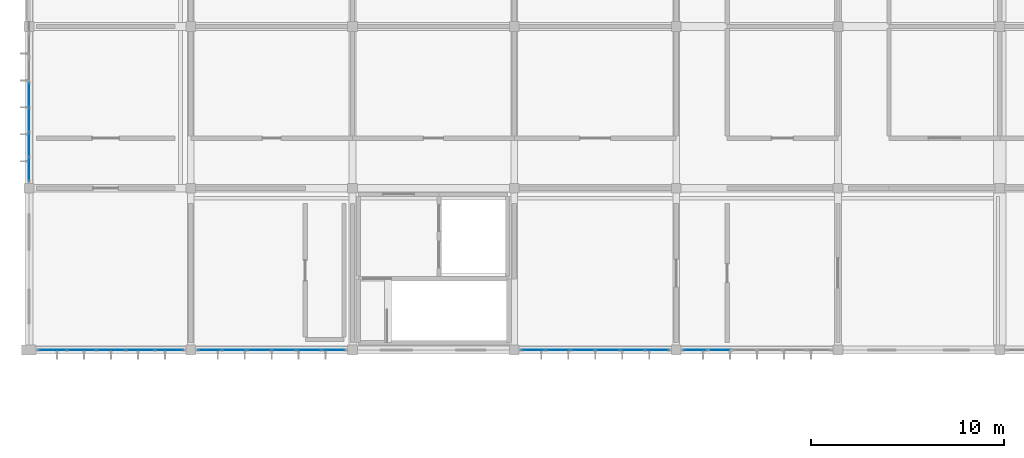
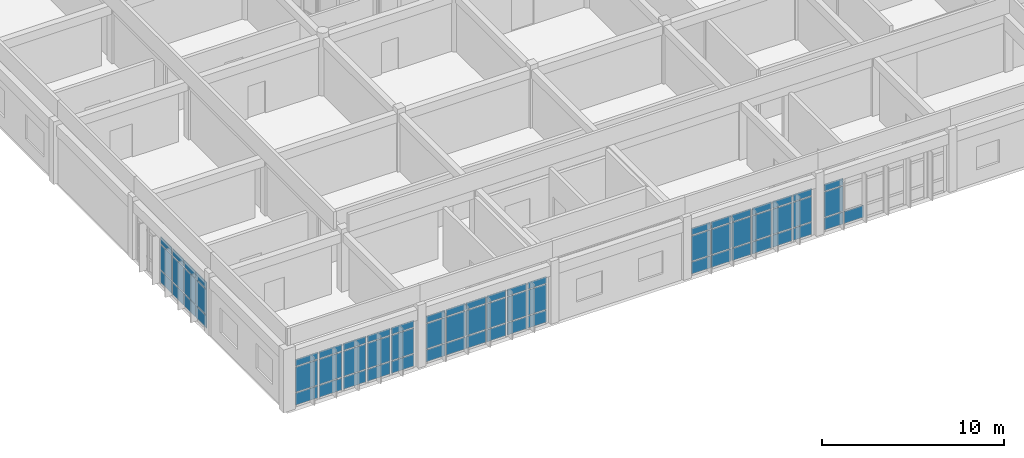
# One storey, part 55 of 119: 67 plates, 5 elements without a shape of their own.
"""IFC4 building model written with IfcOpenShell, lengths in metres."""

from ifc_helpers import new_model, si_unit, direction, frame, origin, origin_2d, place, context, subcontext, project, spatial, rectangle, extrude, material, layer, layer_set, type_object, element, aggregate, save


model = new_model("IFC4")

# Units and contexts
model_context = context("Model", 3, precision=1e-05, world=origin(), true_north=direction((0.0, 1.0)))
body_context = subcontext(model_context, "Body", "Model", "MODEL_VIEW")
ifc_project = project(units=[si_unit("LENGTHUNIT", "METRE"), si_unit("AREAUNIT", "SQUARE_METRE"), si_unit("VOLUMEUNIT", "CUBIC_METRE"), si_unit("PLANEANGLEUNIT", "RADIAN"), si_unit("MASSUNIT", "GRAM", prefix="KILO")], contexts=[model_context])

# Site, building, storey
site_placement = place(None, origin())
site = spatial("IfcSite", under=ifc_project, at=site_placement, CompositionType="ELEMENT")
building_placement = place(site_placement, origin())
building = spatial("IfcBuilding", under=site, at=building_placement, Name="Bramfleet General Hospital", CompositionType="ELEMENT")
storey_placement = place(building_placement, frame((0.0, 0.0, 14.39990234375)))
storey = spatial("IfcBuildingStorey", under=building, at=storey_placement, Name="L03", CompositionType="ELEMENT", Elevation=14.39990234375)

# Curtain wall, plates
ifc_material_1 = material(Name="Anodised aluminium and low-E triple glazing", Category="aluminium")
ifc_layer_1 = layer(ifc_material_1, 0.179931640625, Name="CWT-CW-05")
ifc_layer_set_1 = layer_set([ifc_layer_1], Name="Anodised aluminium and low-E triple glazing")
curtain_wall_type_1 = type_object("IfcCurtainWallType", Name="CWT-CW-05", PredefinedType="USERDEFINED", material=ifc_layer_set_1)
curtain_wall_1_placement = place(storey_placement, origin())
curtain_wall_1 = element("IfcCurtainWall", 1, at=curtain_wall_1_placement, inside=storey, type_object=curtain_wall_type_1, Name="L03 Curtain Wall 185", ObjectType="Unitised curtain wall", PredefinedType="USERDEFINED")
ifc_material_2 = material(Name="Low-E laminated safety glass", Category="glass")
ifc_layer_2 = layer(ifc_material_2, 0.028076171875, Name="CWP-GLZ-1")
ifc_layer_set_2 = layer_set([ifc_layer_2], Name="Low-E laminated safety glass")
plate_type_1 = type_object("IfcPlateType", Name="CWP-GLZ-1", PredefinedType="CURTAIN_PANEL", material=ifc_layer_set_2)
plate_1_placement = place(storey_placement, frame((15.811767578125, 50.39990234375, 0.06494140625), z_axis=(0.0, 0.0, 1.0), x_axis=(-1.0, 0.0, 0.0)))
plate_1 = element("IfcPlate", 2, at=plate_1_placement, type_object=plate_type_1, Name="CW-05 panel 1.1", PredefinedType="CURTAIN_PANEL", context=body_context, shape_type="SweptSolid", body=[
    extrude(rectangle(XDim=1.186767578125, YDim=0.028076171875, at=origin_2d()), origin(), (0.0, 0.0, 1.0), 0.802490234375),
])
plate_2_placement = place(storey_placement, frame((15.811767578125, 50.39990234375, 0.9326171875), z_axis=(0.0, 0.0, 1.0), x_axis=(-1.0, 0.0, 0.0)))
plate_2 = element("IfcPlate", 3, at=plate_2_placement, type_object=plate_type_1, Name="CW-05 panel 1.2", PredefinedType="CURTAIN_PANEL", context=body_context, shape_type="SweptSolid", body=[
    extrude(rectangle(XDim=1.186767578125, YDim=0.028076171875, at=origin_2d()), origin(), (0.0, 0.0, 1.0), 1.675048828125),
])
plate_3_placement = place(storey_placement, frame((15.811767578125, 50.39990234375, 2.6728515625), z_axis=(0.0, 0.0, 1.0), x_axis=(-1.0, 0.0, 0.0)))
plate_3 = element("IfcPlate", 4, at=plate_3_placement, type_object=plate_type_1, Name="CW-05 panel 1.3", PredefinedType="CURTAIN_PANEL", context=body_context, shape_type="SweptSolid", body=[
    extrude(rectangle(XDim=1.186767578125, YDim=0.028076171875, at=origin_2d()), origin(), (0.0, 0.0, 1.0), 0.452392578125),
])
plate_4_placement = place(storey_placement, frame((14.53759765625, 50.39990234375, 0.06494140625), z_axis=(0.0, 0.0, 1.0), x_axis=(-1.0, 0.0, 0.0)))
plate_4 = element("IfcPlate", 5, at=plate_4_placement, type_object=plate_type_1, Name="CW-05 panel 2.1", PredefinedType="CURTAIN_PANEL", context=body_context, shape_type="SweptSolid", body=[
    extrude(rectangle(XDim=1.2216796875, YDim=0.028076171875, at=origin_2d()), origin(), (0.0, 0.0, 1.0), 0.802490234375),
])
plate_5_placement = place(storey_placement, frame((14.53759765625, 50.39990234375, 0.9326171875), z_axis=(0.0, 0.0, 1.0), x_axis=(-1.0, 0.0, 0.0)))
plate_5 = element("IfcPlate", 6, at=plate_5_placement, type_object=plate_type_1, Name="CW-05 panel 2.2", PredefinedType="CURTAIN_PANEL", context=body_context, shape_type="SweptSolid", body=[
    extrude(rectangle(XDim=1.2216796875, YDim=0.028076171875, at=origin_2d()), origin(), (0.0, 0.0, 1.0), 1.675048828125),
])
plate_6_placement = place(storey_placement, frame((14.53759765625, 50.39990234375, 2.6728515625), z_axis=(0.0, 0.0, 1.0), x_axis=(-1.0, 0.0, 0.0)))
plate_6 = element("IfcPlate", 7, at=plate_6_placement, type_object=plate_type_1, Name="CW-05 panel 2.3", PredefinedType="CURTAIN_PANEL", context=body_context, shape_type="SweptSolid", body=[
    extrude(rectangle(XDim=1.2216796875, YDim=0.028076171875, at=origin_2d()), origin(), (0.0, 0.0, 1.0), 0.452392578125),
])
plate_7_placement = place(storey_placement, frame((13.245849609375, 50.39990234375, 0.06494140625), z_axis=(0.0, 0.0, 1.0), x_axis=(-1.0, 0.0, 0.0)))
plate_7 = element("IfcPlate", 8, at=plate_7_placement, type_object=plate_type_1, Name="CW-05 panel 3.1", PredefinedType="CURTAIN_PANEL", context=body_context, shape_type="SweptSolid", body=[
    extrude(rectangle(XDim=1.2216796875, YDim=0.028076171875, at=origin_2d()), origin(), (0.0, 0.0, 1.0), 0.802490234375),
])
plate_8_placement = place(storey_placement, frame((13.245849609375, 50.39990234375, 0.9326171875), z_axis=(0.0, 0.0, 1.0), x_axis=(-1.0, 0.0, 0.0)))
plate_8 = element("IfcPlate", 9, at=plate_8_placement, type_object=plate_type_1, Name="CW-05 panel 3.2", PredefinedType="CURTAIN_PANEL", context=body_context, shape_type="SweptSolid", body=[
    extrude(rectangle(XDim=1.2216796875, YDim=0.028076171875, at=origin_2d()), origin(), (0.0, 0.0, 1.0), 1.675048828125),
])
plate_9_placement = place(storey_placement, frame((13.245849609375, 50.39990234375, 2.6728515625), z_axis=(0.0, 0.0, 1.0), x_axis=(-1.0, 0.0, 0.0)))
plate_9 = element("IfcPlate", 10, at=plate_9_placement, type_object=plate_type_1, Name="CW-05 panel 3.3", PredefinedType="CURTAIN_PANEL", context=body_context, shape_type="SweptSolid", body=[
    extrude(rectangle(XDim=1.2216796875, YDim=0.028076171875, at=origin_2d()), origin(), (0.0, 0.0, 1.0), 0.452392578125),
])
plate_10_placement = place(storey_placement, frame((11.9541015625, 50.39990234375, 0.06494140625), z_axis=(0.0, 0.0, 1.0), x_axis=(-1.0, 0.0, 0.0)))
plate_10 = element("IfcPlate", 11, at=plate_10_placement, type_object=plate_type_1, Name="CW-05 panel 4.1", PredefinedType="CURTAIN_PANEL", context=body_context, shape_type="SweptSolid", body=[
    extrude(rectangle(XDim=1.2216796875, YDim=0.028076171875, at=origin_2d()), origin(), (0.0, 0.0, 1.0), 0.802490234375),
])
plate_11_placement = place(storey_placement, frame((11.9541015625, 50.39990234375, 0.9326171875), z_axis=(0.0, 0.0, 1.0), x_axis=(-1.0, 0.0, 0.0)))
plate_11 = element("IfcPlate", 12, at=plate_11_placement, type_object=plate_type_1, Name="CW-05 panel 4.2", PredefinedType="CURTAIN_PANEL", context=body_context, shape_type="SweptSolid", body=[
    extrude(rectangle(XDim=1.2216796875, YDim=0.028076171875, at=origin_2d()), origin(), (0.0, 0.0, 1.0), 1.675048828125),
])
plate_12_placement = place(storey_placement, frame((11.9541015625, 50.39990234375, 2.6728515625), z_axis=(0.0, 0.0, 1.0), x_axis=(-1.0, 0.0, 0.0)))
plate_12 = element("IfcPlate", 13, at=plate_12_placement, type_object=plate_type_1, Name="CW-05 panel 4.3", PredefinedType="CURTAIN_PANEL", context=body_context, shape_type="SweptSolid", body=[
    extrude(rectangle(XDim=1.2216796875, YDim=0.028076171875, at=origin_2d()), origin(), (0.0, 0.0, 1.0), 0.452392578125),
])
plate_13_placement = place(storey_placement, frame((10.66259765625, 50.39990234375, 0.06494140625), z_axis=(0.0, 0.0, 1.0), x_axis=(-1.0, 0.0, 0.0)))
plate_13 = element("IfcPlate", 14, at=plate_13_placement, type_object=plate_type_1, Name="CW-05 panel 5.1", PredefinedType="CURTAIN_PANEL", context=body_context, shape_type="SweptSolid", body=[
    extrude(rectangle(XDim=1.2216796875, YDim=0.028076171875, at=origin_2d()), origin(), (0.0, 0.0, 1.0), 0.802490234375),
])
plate_14_placement = place(storey_placement, frame((10.66259765625, 50.39990234375, 0.9326171875), z_axis=(0.0, 0.0, 1.0), x_axis=(-1.0, 0.0, 0.0)))
plate_14 = element("IfcPlate", 15, at=plate_14_placement, type_object=plate_type_1, Name="CW-05 panel 5.2", PredefinedType="CURTAIN_PANEL", context=body_context, shape_type="SweptSolid", body=[
    extrude(rectangle(XDim=1.2216796875, YDim=0.028076171875, at=origin_2d()), origin(), (0.0, 0.0, 1.0), 1.675048828125),
])
plate_15_placement = place(storey_placement, frame((10.66259765625, 50.39990234375, 2.6728515625), z_axis=(0.0, 0.0, 1.0), x_axis=(-1.0, 0.0, 0.0)))
plate_15 = element("IfcPlate", 16, at=plate_15_placement, type_object=plate_type_1, Name="CW-05 panel 5.3", PredefinedType="CURTAIN_PANEL", context=body_context, shape_type="SweptSolid", body=[
    extrude(rectangle(XDim=1.2216796875, YDim=0.028076171875, at=origin_2d()), origin(), (0.0, 0.0, 1.0), 0.452392578125),
])
plate_16_placement = place(storey_placement, frame((9.388427734375, 50.39990234375, 0.06494140625), z_axis=(0.0, 0.0, 1.0), x_axis=(-1.0, 0.0, 0.0)))
plate_16 = element("IfcPlate", 17, at=plate_16_placement, type_object=plate_type_1, Name="CW-05 panel 6.1", PredefinedType="CURTAIN_PANEL", context=body_context, shape_type="SweptSolid", body=[
    extrude(rectangle(XDim=1.186767578125, YDim=0.028076171875, at=origin_2d()), origin(), (0.0, 0.0, 1.0), 0.802490234375),
])
plate_17_placement = place(storey_placement, frame((9.388427734375, 50.39990234375, 0.9326171875), z_axis=(0.0, 0.0, 1.0), x_axis=(-1.0, 0.0, 0.0)))
plate_17 = element("IfcPlate", 18, at=plate_17_placement, type_object=plate_type_1, Name="CW-05 panel 6.2", PredefinedType="CURTAIN_PANEL", context=body_context, shape_type="SweptSolid", body=[
    extrude(rectangle(XDim=1.186767578125, YDim=0.028076171875, at=origin_2d()), origin(), (0.0, 0.0, 1.0), 1.675048828125),
])
plate_18_placement = place(storey_placement, frame((9.388427734375, 50.39990234375, 2.6728515625), z_axis=(0.0, 0.0, 1.0), x_axis=(-1.0, 0.0, 0.0)))
plate_18 = element("IfcPlate", 19, at=plate_18_placement, type_object=plate_type_1, Name="CW-05 panel 6.3", PredefinedType="CURTAIN_PANEL", context=body_context, shape_type="SweptSolid", body=[
    extrude(rectangle(XDim=1.186767578125, YDim=0.028076171875, at=origin_2d()), origin(), (0.0, 0.0, 1.0), 0.452392578125),
])
aggregate(curtain_wall_1, [plate_1, plate_2, plate_3, plate_4, plate_5, plate_6, plate_7, plate_8, plate_9, plate_10, plate_11, plate_12, plate_13, plate_14, plate_15, plate_16, plate_17, plate_18])

ifc_layer_3 = layer(ifc_material_1, 0.179931640625, Name="CWT-CW-16")
ifc_layer_set_3 = layer_set([ifc_layer_3], Name="Anodised aluminium and low-E triple glazing")
curtain_wall_type_2 = type_object("IfcCurtainWallType", Name="CWT-CW-16", PredefinedType="USERDEFINED", material=ifc_layer_set_3)
curtain_wall_2_placement = place(storey_placement, origin())
curtain_wall_2 = element("IfcCurtainWall", 20, at=curtain_wall_2_placement, inside=storey, type_object=curtain_wall_type_2, Name="L03 Curtain Wall 142", ObjectType="Stick curtain wall", PredefinedType="USERDEFINED")
ifc_layer_4 = layer(ifc_material_2, 0.031982421875, Name="CWP-GLZ-2")
ifc_layer_set_4 = layer_set([ifc_layer_4], Name="Low-E laminated safety glass")
plate_type_2 = type_object("IfcPlateType", Name="CWP-GLZ-2", PredefinedType="CURTAIN_PANEL", material=ifc_layer_set_4)
plate_19_placement = place(storey_placement, frame((0.0, 59.788330078125, 0.06494140625), z_axis=(0.0, 0.0, 1.0), x_axis=(0.0, 1.0, 0.0)))
plate_19 = element("IfcPlate", 21, at=plate_19_placement, type_object=plate_type_2, Name="CW-16 panel 1.1", PredefinedType="CURTAIN_PANEL", context=body_context, shape_type="SweptSolid", body=[
    extrude(rectangle(XDim=1.186767578125, YDim=0.031982421875, at=origin_2d()), origin(), (0.0, 0.0, 1.0), 0.802490234375),
])
plate_20_placement = place(storey_placement, frame((0.0, 59.788330078125, 0.9326171875), z_axis=(0.0, 0.0, 1.0), x_axis=(0.0, 1.0, 0.0)))
plate_20 = element("IfcPlate", 22, at=plate_20_placement, type_object=plate_type_2, Name="CW-16 panel 1.2", PredefinedType="CURTAIN_PANEL", context=body_context, shape_type="SweptSolid", body=[
    extrude(rectangle(XDim=1.186767578125, YDim=0.031982421875, at=origin_2d()), origin(), (0.0, 0.0, 1.0), 1.675048828125),
])
plate_21_placement = place(storey_placement, frame((0.0, 59.788330078125, 2.6728515625), z_axis=(0.0, 0.0, 1.0), x_axis=(0.0, 1.0, 0.0)))
plate_21 = element("IfcPlate", 23, at=plate_21_placement, type_object=plate_type_2, Name="CW-16 panel 1.3", PredefinedType="CURTAIN_PANEL", context=body_context, shape_type="SweptSolid", body=[
    extrude(rectangle(XDim=1.186767578125, YDim=0.031982421875, at=origin_2d()), origin(), (0.0, 0.0, 1.0), 0.452392578125),
])
plate_22_placement = place(storey_placement, frame((0.0, 61.0625, 0.06494140625), z_axis=(0.0, 0.0, 1.0), x_axis=(0.0, 1.0, 0.0)))
plate_22 = element("IfcPlate", 24, at=plate_22_placement, type_object=plate_type_2, Name="CW-16 panel 2.1", PredefinedType="CURTAIN_PANEL", context=body_context, shape_type="SweptSolid", body=[
    extrude(rectangle(XDim=1.2216796875, YDim=0.031982421875, at=origin_2d()), origin(), (0.0, 0.0, 1.0), 0.802490234375),
])
plate_23_placement = place(storey_placement, frame((0.0, 61.0625, 0.9326171875), z_axis=(0.0, 0.0, 1.0), x_axis=(0.0, 1.0, 0.0)))
plate_23 = element("IfcPlate", 25, at=plate_23_placement, type_object=plate_type_2, Name="CW-16 panel 2.2", PredefinedType="CURTAIN_PANEL", context=body_context, shape_type="SweptSolid", body=[
    extrude(rectangle(XDim=1.2216796875, YDim=0.031982421875, at=origin_2d()), origin(), (0.0, 0.0, 1.0), 1.675048828125),
])
plate_24_placement = place(storey_placement, frame((0.0, 61.0625, 2.6728515625), z_axis=(0.0, 0.0, 1.0), x_axis=(0.0, 1.0, 0.0)))
plate_24 = element("IfcPlate", 26, at=plate_24_placement, type_object=plate_type_2, Name="CW-16 panel 2.3", PredefinedType="CURTAIN_PANEL", context=body_context, shape_type="SweptSolid", body=[
    extrude(rectangle(XDim=1.2216796875, YDim=0.031982421875, at=origin_2d()), origin(), (0.0, 0.0, 1.0), 0.452392578125),
])
plate_25_placement = place(storey_placement, frame((0.0, 62.354248046875, 0.06494140625), z_axis=(0.0, 0.0, 1.0), x_axis=(0.0, 1.0, 0.0)))
plate_25 = element("IfcPlate", 27, at=plate_25_placement, type_object=plate_type_2, Name="CW-16 panel 3.1", PredefinedType="CURTAIN_PANEL", context=body_context, shape_type="SweptSolid", body=[
    extrude(rectangle(XDim=1.2216796875, YDim=0.031982421875, at=origin_2d()), origin(), (0.0, 0.0, 1.0), 0.802490234375),
])
plate_26_placement = place(storey_placement, frame((0.0, 62.354248046875, 0.9326171875), z_axis=(0.0, 0.0, 1.0), x_axis=(0.0, 1.0, 0.0)))
plate_26 = element("IfcPlate", 28, at=plate_26_placement, type_object=plate_type_2, Name="CW-16 panel 3.2", PredefinedType="CURTAIN_PANEL", context=body_context, shape_type="SweptSolid", body=[
    extrude(rectangle(XDim=1.2216796875, YDim=0.031982421875, at=origin_2d()), origin(), (0.0, 0.0, 1.0), 1.675048828125),
])
plate_27_placement = place(storey_placement, frame((0.0, 62.354248046875, 2.6728515625), z_axis=(0.0, 0.0, 1.0), x_axis=(0.0, 1.0, 0.0)))
plate_27 = element("IfcPlate", 29, at=plate_27_placement, type_object=plate_type_2, Name="CW-16 panel 3.3", PredefinedType="CURTAIN_PANEL", context=body_context, shape_type="SweptSolid", body=[
    extrude(rectangle(XDim=1.2216796875, YDim=0.031982421875, at=origin_2d()), origin(), (0.0, 0.0, 1.0), 0.452392578125),
])
plate_28_placement = place(storey_placement, frame((0.0, 63.645751953125, 0.06494140625), z_axis=(0.0, 0.0, 1.0), x_axis=(0.0, 1.0, 0.0)))
plate_28 = element("IfcPlate", 30, at=plate_28_placement, type_object=plate_type_2, Name="CW-16 panel 4.1", PredefinedType="CURTAIN_PANEL", context=body_context, shape_type="SweptSolid", body=[
    extrude(rectangle(XDim=1.2216796875, YDim=0.031982421875, at=origin_2d()), origin(), (0.0, 0.0, 1.0), 0.802490234375),
])
plate_29_placement = place(storey_placement, frame((0.0, 63.645751953125, 0.9326171875), z_axis=(0.0, 0.0, 1.0), x_axis=(0.0, 1.0, 0.0)))
plate_29 = element("IfcPlate", 31, at=plate_29_placement, type_object=plate_type_2, Name="CW-16 panel 4.2", PredefinedType="CURTAIN_PANEL", context=body_context, shape_type="SweptSolid", body=[
    extrude(rectangle(XDim=1.2216796875, YDim=0.031982421875, at=origin_2d()), origin(), (0.0, 0.0, 1.0), 1.675048828125),
])
plate_30_placement = place(storey_placement, frame((0.0, 63.645751953125, 2.6728515625), z_axis=(0.0, 0.0, 1.0), x_axis=(0.0, 1.0, 0.0)))
plate_30 = element("IfcPlate", 32, at=plate_30_placement, type_object=plate_type_2, Name="CW-16 panel 4.3", PredefinedType="CURTAIN_PANEL", context=body_context, shape_type="SweptSolid", body=[
    extrude(rectangle(XDim=1.2216796875, YDim=0.031982421875, at=origin_2d()), origin(), (0.0, 0.0, 1.0), 0.452392578125),
])
aggregate(curtain_wall_2, [plate_19, plate_20, plate_21, plate_22, plate_23, plate_24, plate_25, plate_26, plate_27, plate_28, plate_29, plate_30])

ifc_layer_5 = layer(ifc_material_1, 0.179931640625, Name="CWT-CW-06")
ifc_layer_set_5 = layer_set([ifc_layer_5], Name="Anodised aluminium and low-E triple glazing")
curtain_wall_type_3 = type_object("IfcCurtainWallType", Name="CWT-CW-06", PredefinedType="USERDEFINED", material=ifc_layer_set_5)
curtain_wall_3_placement = place(storey_placement, origin())
curtain_wall_3 = element("IfcCurtainWall", 33, at=curtain_wall_3_placement, inside=storey, type_object=curtain_wall_type_3, Name="L03 Curtain Wall 186", ObjectType="Unitised curtain wall", PredefinedType="USERDEFINED")
plate_31_placement = place(storey_placement, frame((7.294921875, 50.39990234375, 0.06494140625), z_axis=(0.0, 0.0, 1.0), x_axis=(-1.0, 0.0, 0.0)))
plate_31 = element("IfcPlate", 34, at=plate_31_placement, type_object=plate_type_2, Name="CW-06 panel 1.1", PredefinedType="CURTAIN_PANEL", context=body_context, shape_type="SweptSolid", body=[
    extrude(rectangle(XDim=1.419921875, YDim=0.031982421875, at=origin_2d()), origin(), (0.0, 0.0, 1.0), 0.802490234375),
])
plate_32_placement = place(storey_placement, frame((7.294921875, 50.39990234375, 0.9326171875), z_axis=(0.0, 0.0, 1.0), x_axis=(-1.0, 0.0, 0.0)))
plate_32 = element("IfcPlate", 35, at=plate_32_placement, type_object=plate_type_2, Name="CW-06 panel 1.2", PredefinedType="CURTAIN_PANEL", context=body_context, shape_type="SweptSolid", body=[
    extrude(rectangle(XDim=1.419921875, YDim=0.031982421875, at=origin_2d()), origin(), (0.0, 0.0, 1.0), 1.675048828125),
])
plate_33_placement = place(storey_placement, frame((7.294921875, 50.39990234375, 2.6728515625), z_axis=(0.0, 0.0, 1.0), x_axis=(-1.0, 0.0, 0.0)))
plate_33 = element("IfcPlate", 36, at=plate_33_placement, type_object=plate_type_2, Name="CW-06 panel 1.3", PredefinedType="CURTAIN_PANEL", context=body_context, shape_type="SweptSolid", body=[
    extrude(rectangle(XDim=1.419921875, YDim=0.031982421875, at=origin_2d()), origin(), (0.0, 0.0, 1.0), 0.452392578125),
])
plate_34_placement = place(storey_placement, frame((5.78759765625, 50.39990234375, 0.06494140625), z_axis=(0.0, 0.0, 1.0), x_axis=(-1.0, 0.0, 0.0)))
plate_34 = element("IfcPlate", 37, at=plate_34_placement, type_object=plate_type_2, Name="CW-06 panel 2.1", PredefinedType="CURTAIN_PANEL", context=body_context, shape_type="SweptSolid", body=[
    extrude(rectangle(XDim=1.455078125, YDim=0.031982421875, at=origin_2d()), origin(), (0.0, 0.0, 1.0), 0.802490234375),
])
plate_35_placement = place(storey_placement, frame((5.78759765625, 50.39990234375, 0.9326171875), z_axis=(0.0, 0.0, 1.0), x_axis=(-1.0, 0.0, 0.0)))
plate_35 = element("IfcPlate", 38, at=plate_35_placement, type_object=plate_type_2, Name="CW-06 panel 2.2", PredefinedType="CURTAIN_PANEL", context=body_context, shape_type="SweptSolid", body=[
    extrude(rectangle(XDim=1.455078125, YDim=0.031982421875, at=origin_2d()), origin(), (0.0, 0.0, 1.0), 1.675048828125),
])
plate_36_placement = place(storey_placement, frame((5.78759765625, 50.39990234375, 2.6728515625), z_axis=(0.0, 0.0, 1.0), x_axis=(-1.0, 0.0, 0.0)))
plate_36 = element("IfcPlate", 39, at=plate_36_placement, type_object=plate_type_2, Name="CW-06 panel 2.3", PredefinedType="CURTAIN_PANEL", context=body_context, shape_type="SweptSolid", body=[
    extrude(rectangle(XDim=1.455078125, YDim=0.031982421875, at=origin_2d()), origin(), (0.0, 0.0, 1.0), 0.452392578125),
])
plate_37_placement = place(storey_placement, frame((4.262451171875, 50.39990234375, 0.06494140625), z_axis=(0.0, 0.0, 1.0), x_axis=(-1.0, 0.0, 0.0)))
plate_37 = element("IfcPlate", 40, at=plate_37_placement, type_object=plate_type_2, Name="CW-06 panel 3.1", PredefinedType="CURTAIN_PANEL", context=body_context, shape_type="SweptSolid", body=[
    extrude(rectangle(XDim=1.455078125, YDim=0.031982421875, at=origin_2d()), origin(), (0.0, 0.0, 1.0), 0.802490234375),
])
plate_38_placement = place(storey_placement, frame((4.262451171875, 50.39990234375, 0.9326171875), z_axis=(0.0, 0.0, 1.0), x_axis=(-1.0, 0.0, 0.0)))
plate_38 = element("IfcPlate", 41, at=plate_38_placement, type_object=plate_type_2, Name="CW-06 panel 3.2", PredefinedType="CURTAIN_PANEL", context=body_context, shape_type="SweptSolid", body=[
    extrude(rectangle(XDim=1.455078125, YDim=0.031982421875, at=origin_2d()), origin(), (0.0, 0.0, 1.0), 1.675048828125),
])
plate_39_placement = place(storey_placement, frame((4.262451171875, 50.39990234375, 2.6728515625), z_axis=(0.0, 0.0, 1.0), x_axis=(-1.0, 0.0, 0.0)))
plate_39 = element("IfcPlate", 42, at=plate_39_placement, type_object=plate_type_2, Name="CW-06 panel 3.3", PredefinedType="CURTAIN_PANEL", context=body_context, shape_type="SweptSolid", body=[
    extrude(rectangle(XDim=1.455078125, YDim=0.031982421875, at=origin_2d()), origin(), (0.0, 0.0, 1.0), 0.452392578125),
])
plate_40_placement = place(storey_placement, frame((2.737548828125, 50.39990234375, 0.06494140625), z_axis=(0.0, 0.0, 1.0), x_axis=(-1.0, 0.0, 0.0)))
plate_40 = element("IfcPlate", 43, at=plate_40_placement, type_object=plate_type_2, Name="CW-06 panel 4.1", PredefinedType="CURTAIN_PANEL", context=body_context, shape_type="SweptSolid", body=[
    extrude(rectangle(XDim=1.455078125, YDim=0.031982421875, at=origin_2d()), origin(), (0.0, 0.0, 1.0), 0.802490234375),
])
plate_41_placement = place(storey_placement, frame((2.737548828125, 50.39990234375, 0.9326171875), z_axis=(0.0, 0.0, 1.0), x_axis=(-1.0, 0.0, 0.0)))
plate_41 = element("IfcPlate", 44, at=plate_41_placement, type_object=plate_type_2, Name="CW-06 panel 4.2", PredefinedType="CURTAIN_PANEL", context=body_context, shape_type="SweptSolid", body=[
    extrude(rectangle(XDim=1.455078125, YDim=0.031982421875, at=origin_2d()), origin(), (0.0, 0.0, 1.0), 1.675048828125),
])
plate_42_placement = place(storey_placement, frame((2.737548828125, 50.39990234375, 2.6728515625), z_axis=(0.0, 0.0, 1.0), x_axis=(-1.0, 0.0, 0.0)))
plate_42 = element("IfcPlate", 45, at=plate_42_placement, type_object=plate_type_2, Name="CW-06 panel 4.3", PredefinedType="CURTAIN_PANEL", context=body_context, shape_type="SweptSolid", body=[
    extrude(rectangle(XDim=1.455078125, YDim=0.031982421875, at=origin_2d()), origin(), (0.0, 0.0, 1.0), 0.452392578125),
])
plate_43_placement = place(storey_placement, frame((1.22998046875, 50.39990234375, 0.06494140625), z_axis=(0.0, 0.0, 1.0), x_axis=(-1.0, 0.0, 0.0)))
plate_43 = element("IfcPlate", 46, at=plate_43_placement, type_object=plate_type_2, Name="CW-06 panel 5.1", PredefinedType="CURTAIN_PANEL", context=body_context, shape_type="SweptSolid", body=[
    extrude(rectangle(XDim=1.419921875, YDim=0.031982421875, at=origin_2d()), origin(), (0.0, 0.0, 1.0), 0.802490234375),
])
plate_44_placement = place(storey_placement, frame((1.22998046875, 50.39990234375, 0.9326171875), z_axis=(0.0, 0.0, 1.0), x_axis=(-1.0, 0.0, 0.0)))
plate_44 = element("IfcPlate", 47, at=plate_44_placement, type_object=plate_type_2, Name="CW-06 panel 5.2", PredefinedType="CURTAIN_PANEL", context=body_context, shape_type="SweptSolid", body=[
    extrude(rectangle(XDim=1.419921875, YDim=0.031982421875, at=origin_2d()), origin(), (0.0, 0.0, 1.0), 1.675048828125),
])
plate_45_placement = place(storey_placement, frame((1.22998046875, 50.39990234375, 2.6728515625), z_axis=(0.0, 0.0, 1.0), x_axis=(-1.0, 0.0, 0.0)))
plate_45 = element("IfcPlate", 48, at=plate_45_placement, type_object=plate_type_2, Name="CW-06 panel 5.3", PredefinedType="CURTAIN_PANEL", context=body_context, shape_type="SweptSolid", body=[
    extrude(rectangle(XDim=1.419921875, YDim=0.031982421875, at=origin_2d()), origin(), (0.0, 0.0, 1.0), 0.452392578125),
])
aggregate(curtain_wall_3, [plate_31, plate_32, plate_33, plate_34, plate_35, plate_36, plate_37, plate_38, plate_39, plate_40, plate_41, plate_42, plate_43, plate_44, plate_45])

ifc_layer_6 = layer(ifc_material_1, 0.179931640625, Name="CWT-CW-03")
ifc_layer_set_6 = layer_set([ifc_layer_6], Name="Anodised aluminium and low-E triple glazing")
curtain_wall_type_4 = type_object("IfcCurtainWallType", Name="CWT-CW-03", PredefinedType="USERDEFINED", material=ifc_layer_set_6)
curtain_wall_4_placement = place(storey_placement, origin())
curtain_wall_4 = element("IfcCurtainWall", 49, at=curtain_wall_4_placement, inside=storey, type_object=curtain_wall_type_4, Name="L03 Curtain Wall 183", ObjectType="Unitised curtain wall", PredefinedType="USERDEFINED")
ifc_layer_7 = layer(ifc_material_2, 0.035888671875, Name="CWP-GLZ-3")
ifc_layer_set_7 = layer_set([ifc_layer_7], Name="Low-E laminated safety glass")
plate_type_3 = type_object("IfcPlateType", Name="CWP-GLZ-3", PredefinedType="CURTAIN_PANEL", material=ifc_layer_set_7)
plate_46_placement = place(storey_placement, frame((35.862548828125, 50.39990234375, 0.06494140625), z_axis=(0.0, 0.0, 1.0), x_axis=(-1.0, 0.0, 0.0)))
plate_46 = element("IfcPlate", 50, at=plate_46_placement, type_object=plate_type_3, Name="CW-03 panel 5.1", PredefinedType="CURTAIN_PANEL", context=body_context, shape_type="SweptSolid", body=[
    extrude(rectangle(XDim=1.2216796875, YDim=0.035888671875, at=origin_2d()), origin(), (0.0, 0.0, 1.0), 0.802490234375),
])
plate_47_placement = place(storey_placement, frame((34.58837890625, 50.39990234375, 0.06494140625), z_axis=(0.0, 0.0, 1.0), x_axis=(-1.0, 0.0, 0.0)))
plate_47 = element("IfcPlate", 51, at=plate_47_placement, type_object=plate_type_3, Name="CW-03 panel 6.1", PredefinedType="CURTAIN_PANEL", context=body_context, shape_type="SweptSolid", body=[
    extrude(rectangle(XDim=1.186767578125, YDim=0.035888671875, at=origin_2d()), origin(), (0.0, 0.0, 1.0), 0.802490234375),
])
plate_48_placement = place(storey_placement, frame((34.58837890625, 50.39990234375, 0.9326171875), z_axis=(0.0, 0.0, 1.0), x_axis=(-1.0, 0.0, 0.0)))
plate_48 = element("IfcPlate", 52, at=plate_48_placement, type_object=plate_type_3, Name="CW-03 panel 6.2", PredefinedType="CURTAIN_PANEL", context=body_context, shape_type="SweptSolid", body=[
    extrude(rectangle(XDim=1.186767578125, YDim=0.035888671875, at=origin_2d()), origin(), (0.0, 0.0, 1.0), 1.675048828125),
])
plate_49_placement = place(storey_placement, frame((34.58837890625, 50.39990234375, 2.6728515625), z_axis=(0.0, 0.0, 1.0), x_axis=(-1.0, 0.0, 0.0)))
plate_49 = element("IfcPlate", 53, at=plate_49_placement, type_object=plate_type_3, Name="CW-03 panel 6.3", PredefinedType="CURTAIN_PANEL", context=body_context, shape_type="SweptSolid", body=[
    extrude(rectangle(XDim=1.186767578125, YDim=0.035888671875, at=origin_2d()), origin(), (0.0, 0.0, 1.0), 0.452392578125),
])
aggregate(curtain_wall_4, [plate_46, plate_47, plate_48, plate_49])

ifc_layer_8 = layer(ifc_material_1, 0.179931640625, Name="CWT-CW-04")
ifc_layer_set_8 = layer_set([ifc_layer_8], Name="Anodised aluminium and low-E triple glazing")
curtain_wall_type_5 = type_object("IfcCurtainWallType", Name="CWT-CW-04", PredefinedType="USERDEFINED", material=ifc_layer_set_8)
curtain_wall_5_placement = place(storey_placement, origin())
curtain_wall_5 = element("IfcCurtainWall", 54, at=curtain_wall_5_placement, inside=storey, type_object=curtain_wall_type_5, Name="L03 Curtain Wall 184", ObjectType="Unitised curtain wall", PredefinedType="USERDEFINED")
ifc_layer_9 = layer(ifc_material_2, 0.0419921875, Name="CWP-GLZ-4")
ifc_layer_set_9 = layer_set([ifc_layer_9], Name="Low-E laminated safety glass")
plate_type_4 = type_object("IfcPlateType", Name="CWP-GLZ-4", PredefinedType="CURTAIN_PANEL", material=ifc_layer_set_9)
plate_50_placement = place(storey_placement, frame((32.611572265625, 50.39990234375, 0.06494140625), z_axis=(0.0, 0.0, 1.0), x_axis=(-1.0, 0.0, 0.0)))
plate_50 = element("IfcPlate", 55, at=plate_50_placement, type_object=plate_type_4, Name="CW-04 panel 1.1", PredefinedType="CURTAIN_PANEL", context=body_context, shape_type="SweptSolid", body=[
    extrude(rectangle(XDim=1.186767578125, YDim=0.0419921875, at=origin_2d()), origin(), (0.0, 0.0, 1.0), 0.802490234375),
])
plate_51_placement = place(storey_placement, frame((32.611572265625, 50.39990234375, 0.9326171875), z_axis=(0.0, 0.0, 1.0), x_axis=(-1.0, 0.0, 0.0)))
plate_51 = element("IfcPlate", 56, at=plate_51_placement, type_object=plate_type_4, Name="CW-04 panel 1.2", PredefinedType="CURTAIN_PANEL", context=body_context, shape_type="SweptSolid", body=[
    extrude(rectangle(XDim=1.186767578125, YDim=0.0419921875, at=origin_2d()), origin(), (0.0, 0.0, 1.0), 1.675048828125),
])
plate_52_placement = place(storey_placement, frame((32.611572265625, 50.39990234375, 2.6728515625), z_axis=(0.0, 0.0, 1.0), x_axis=(-1.0, 0.0, 0.0)))
plate_52 = element("IfcPlate", 57, at=plate_52_placement, type_object=plate_type_4, Name="CW-04 panel 1.3", PredefinedType="CURTAIN_PANEL", context=body_context, shape_type="SweptSolid", body=[
    extrude(rectangle(XDim=1.186767578125, YDim=0.0419921875, at=origin_2d()), origin(), (0.0, 0.0, 1.0), 0.452392578125),
])
plate_53_placement = place(storey_placement, frame((31.33740234375, 50.39990234375, 0.06494140625), z_axis=(0.0, 0.0, 1.0), x_axis=(-1.0, 0.0, 0.0)))
plate_53 = element("IfcPlate", 58, at=plate_53_placement, type_object=plate_type_4, Name="CW-04 panel 2.1", PredefinedType="CURTAIN_PANEL", context=body_context, shape_type="SweptSolid", body=[
    extrude(rectangle(XDim=1.2216796875, YDim=0.0419921875, at=origin_2d()), origin(), (0.0, 0.0, 1.0), 0.802490234375),
])
plate_54_placement = place(storey_placement, frame((31.33740234375, 50.39990234375, 0.9326171875), z_axis=(0.0, 0.0, 1.0), x_axis=(-1.0, 0.0, 0.0)))
plate_54 = element("IfcPlate", 59, at=plate_54_placement, type_object=plate_type_4, Name="CW-04 panel 2.2", PredefinedType="CURTAIN_PANEL", context=body_context, shape_type="SweptSolid", body=[
    extrude(rectangle(XDim=1.2216796875, YDim=0.0419921875, at=origin_2d()), origin(), (0.0, 0.0, 1.0), 1.675048828125),
])
plate_55_placement = place(storey_placement, frame((31.33740234375, 50.39990234375, 2.6728515625), z_axis=(0.0, 0.0, 1.0), x_axis=(-1.0, 0.0, 0.0)))
plate_55 = element("IfcPlate", 60, at=plate_55_placement, type_object=plate_type_4, Name="CW-04 panel 2.3", PredefinedType="CURTAIN_PANEL", context=body_context, shape_type="SweptSolid", body=[
    extrude(rectangle(XDim=1.2216796875, YDim=0.0419921875, at=origin_2d()), origin(), (0.0, 0.0, 1.0), 0.452392578125),
])
plate_56_placement = place(storey_placement, frame((30.0458984375, 50.39990234375, 0.06494140625), z_axis=(0.0, 0.0, 1.0), x_axis=(-1.0, 0.0, 0.0)))
plate_56 = element("IfcPlate", 61, at=plate_56_placement, type_object=plate_type_4, Name="CW-04 panel 3.1", PredefinedType="CURTAIN_PANEL", context=body_context, shape_type="SweptSolid", body=[
    extrude(rectangle(XDim=1.2216796875, YDim=0.0419921875, at=origin_2d()), origin(), (0.0, 0.0, 1.0), 0.802490234375),
])
plate_57_placement = place(storey_placement, frame((30.0458984375, 50.39990234375, 0.9326171875), z_axis=(0.0, 0.0, 1.0), x_axis=(-1.0, 0.0, 0.0)))
plate_57 = element("IfcPlate", 62, at=plate_57_placement, type_object=plate_type_4, Name="CW-04 panel 3.2", PredefinedType="CURTAIN_PANEL", context=body_context, shape_type="SweptSolid", body=[
    extrude(rectangle(XDim=1.2216796875, YDim=0.0419921875, at=origin_2d()), origin(), (0.0, 0.0, 1.0), 1.675048828125),
])
plate_58_placement = place(storey_placement, frame((30.0458984375, 50.39990234375, 2.6728515625), z_axis=(0.0, 0.0, 1.0), x_axis=(-1.0, 0.0, 0.0)))
plate_58 = element("IfcPlate", 63, at=plate_58_placement, type_object=plate_type_4, Name="CW-04 panel 3.3", PredefinedType="CURTAIN_PANEL", context=body_context, shape_type="SweptSolid", body=[
    extrude(rectangle(XDim=1.2216796875, YDim=0.0419921875, at=origin_2d()), origin(), (0.0, 0.0, 1.0), 0.452392578125),
])
plate_59_placement = place(storey_placement, frame((28.754150390625, 50.39990234375, 0.06494140625), z_axis=(0.0, 0.0, 1.0), x_axis=(-1.0, 0.0, 0.0)))
plate_59 = element("IfcPlate", 64, at=plate_59_placement, type_object=plate_type_4, Name="CW-04 panel 4.1", PredefinedType="CURTAIN_PANEL", context=body_context, shape_type="SweptSolid", body=[
    extrude(rectangle(XDim=1.2216796875, YDim=0.0419921875, at=origin_2d()), origin(), (0.0, 0.0, 1.0), 0.802490234375),
])
plate_60_placement = place(storey_placement, frame((28.754150390625, 50.39990234375, 0.9326171875), z_axis=(0.0, 0.0, 1.0), x_axis=(-1.0, 0.0, 0.0)))
plate_60 = element("IfcPlate", 65, at=plate_60_placement, type_object=plate_type_4, Name="CW-04 panel 4.2", PredefinedType="CURTAIN_PANEL", context=body_context, shape_type="SweptSolid", body=[
    extrude(rectangle(XDim=1.2216796875, YDim=0.0419921875, at=origin_2d()), origin(), (0.0, 0.0, 1.0), 1.675048828125),
])
plate_61_placement = place(storey_placement, frame((28.754150390625, 50.39990234375, 2.6728515625), z_axis=(0.0, 0.0, 1.0), x_axis=(-1.0, 0.0, 0.0)))
plate_61 = element("IfcPlate", 66, at=plate_61_placement, type_object=plate_type_4, Name="CW-04 panel 4.3", PredefinedType="CURTAIN_PANEL", context=body_context, shape_type="SweptSolid", body=[
    extrude(rectangle(XDim=1.2216796875, YDim=0.0419921875, at=origin_2d()), origin(), (0.0, 0.0, 1.0), 0.452392578125),
])
plate_62_placement = place(storey_placement, frame((27.46240234375, 50.39990234375, 0.06494140625), z_axis=(0.0, 0.0, 1.0), x_axis=(-1.0, 0.0, 0.0)))
plate_62 = element("IfcPlate", 67, at=plate_62_placement, type_object=plate_type_4, Name="CW-04 panel 5.1", PredefinedType="CURTAIN_PANEL", context=body_context, shape_type="SweptSolid", body=[
    extrude(rectangle(XDim=1.2216796875, YDim=0.0419921875, at=origin_2d()), origin(), (0.0, 0.0, 1.0), 0.802490234375),
])
plate_63_placement = place(storey_placement, frame((27.46240234375, 50.39990234375, 0.9326171875), z_axis=(0.0, 0.0, 1.0), x_axis=(-1.0, 0.0, 0.0)))
plate_63 = element("IfcPlate", 68, at=plate_63_placement, type_object=plate_type_4, Name="CW-04 panel 5.2", PredefinedType="CURTAIN_PANEL", context=body_context, shape_type="SweptSolid", body=[
    extrude(rectangle(XDim=1.2216796875, YDim=0.0419921875, at=origin_2d()), origin(), (0.0, 0.0, 1.0), 1.675048828125),
])
plate_64_placement = place(storey_placement, frame((27.46240234375, 50.39990234375, 2.6728515625), z_axis=(0.0, 0.0, 1.0), x_axis=(-1.0, 0.0, 0.0)))
plate_64 = element("IfcPlate", 69, at=plate_64_placement, type_object=plate_type_4, Name="CW-04 panel 5.3", PredefinedType="CURTAIN_PANEL", context=body_context, shape_type="SweptSolid", body=[
    extrude(rectangle(XDim=1.2216796875, YDim=0.0419921875, at=origin_2d()), origin(), (0.0, 0.0, 1.0), 0.452392578125),
])
plate_65_placement = place(storey_placement, frame((26.188232421875, 50.39990234375, 0.06494140625), z_axis=(0.0, 0.0, 1.0), x_axis=(-1.0, 0.0, 0.0)))
plate_65 = element("IfcPlate", 70, at=plate_65_placement, type_object=plate_type_4, Name="CW-04 panel 6.1", PredefinedType="CURTAIN_PANEL", context=body_context, shape_type="SweptSolid", body=[
    extrude(rectangle(XDim=1.186767578125, YDim=0.0419921875, at=origin_2d()), origin(), (0.0, 0.0, 1.0), 0.802490234375),
])
plate_66_placement = place(storey_placement, frame((26.188232421875, 50.39990234375, 0.9326171875), z_axis=(0.0, 0.0, 1.0), x_axis=(-1.0, 0.0, 0.0)))
plate_66 = element("IfcPlate", 71, at=plate_66_placement, type_object=plate_type_4, Name="CW-04 panel 6.2", PredefinedType="CURTAIN_PANEL", context=body_context, shape_type="SweptSolid", body=[
    extrude(rectangle(XDim=1.186767578125, YDim=0.0419921875, at=origin_2d()), origin(), (0.0, 0.0, 1.0), 1.675048828125),
])
plate_67_placement = place(storey_placement, frame((26.188232421875, 50.39990234375, 2.6728515625), z_axis=(0.0, 0.0, 1.0), x_axis=(-1.0, 0.0, 0.0)))
plate_67 = element("IfcPlate", 72, at=plate_67_placement, type_object=plate_type_4, Name="CW-04 panel 6.3", PredefinedType="CURTAIN_PANEL", context=body_context, shape_type="SweptSolid", body=[
    extrude(rectangle(XDim=1.186767578125, YDim=0.0419921875, at=origin_2d()), origin(), (0.0, 0.0, 1.0), 0.452392578125),
])
aggregate(curtain_wall_5, [plate_50, plate_51, plate_52, plate_53, plate_54, plate_55, plate_56, plate_57, plate_58, plate_59, plate_60, plate_61, plate_62, plate_63, plate_64, plate_65, plate_66, plate_67])

save(model, "model.ifc")
